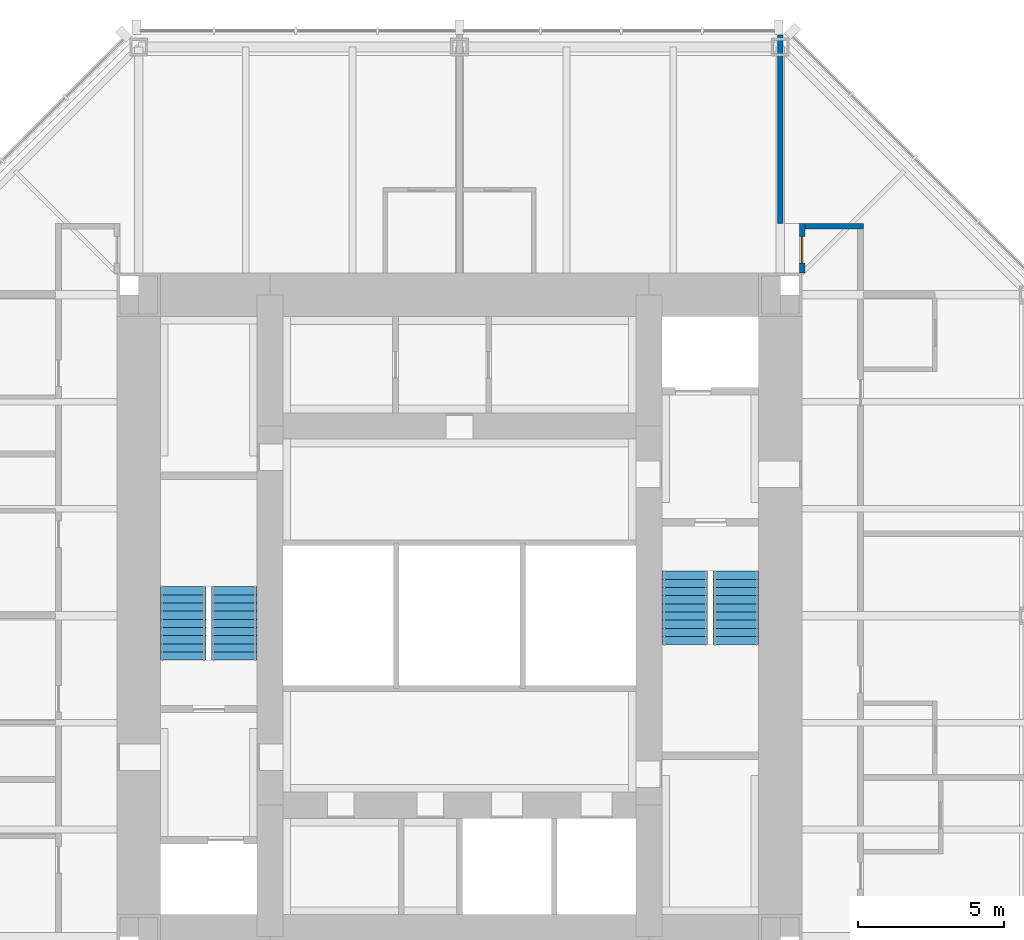
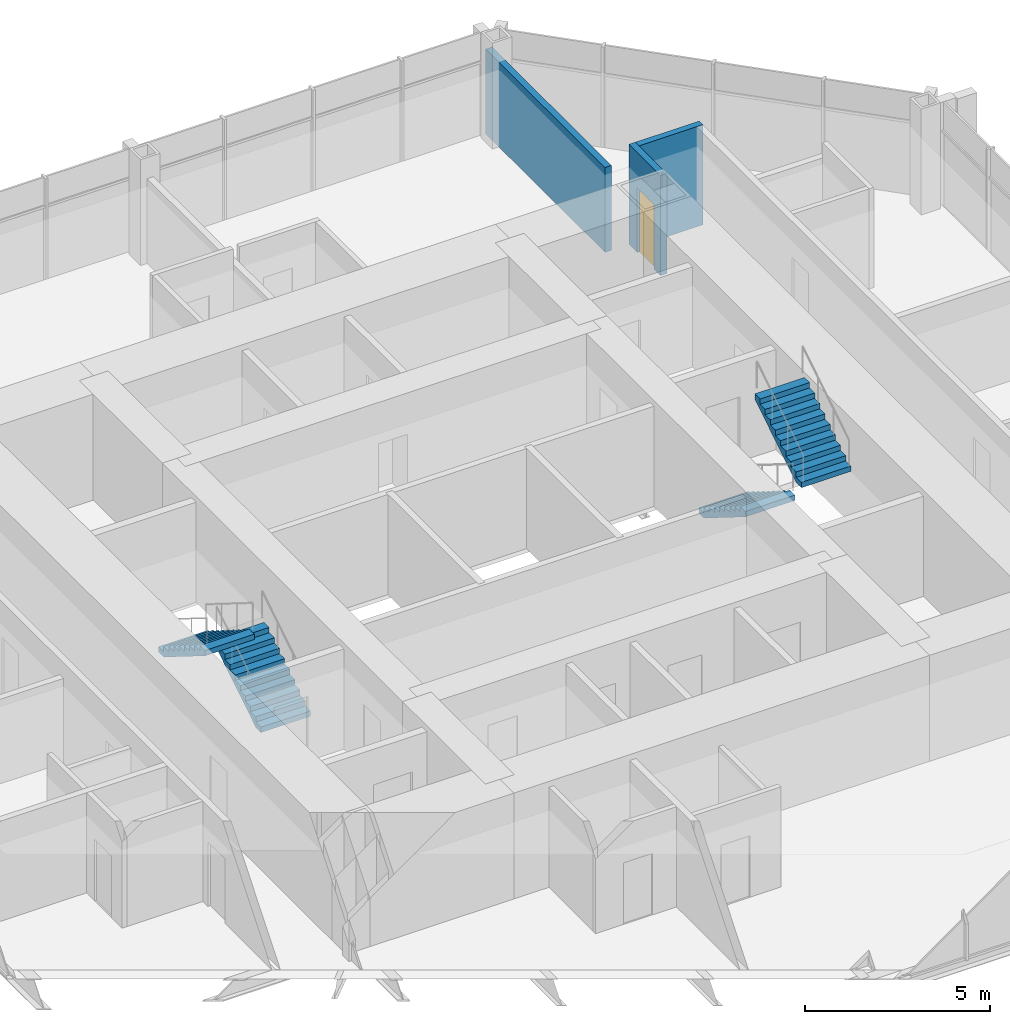
# One storey, part 10 of 11: 4 stair flights, 3 walls, 1 door, 1 opening, 2 elements without a shape of their own.
"""IFC4 building model written with IfcOpenShell, lengths in metres."""

from ifc_helpers import new_model, si_unit, direction, frame, frame_2d, origin, place, context, subcontext, project, spatial, polyline, rectangle, outline, extrude, material, layer, layer_set, type_object, element, fill, aggregate, save


model = new_model("IFC4")

# Units and contexts
model_context = context("Model", 3, precision=1e-05, world=origin(), true_north=direction((0.0, 1.0)))
body_context = subcontext(model_context, "Body", "Model", "MODEL_VIEW")
ifc_project = project(units=[si_unit("LENGTHUNIT", "METRE"), si_unit("AREAUNIT", "SQUARE_METRE"), si_unit("VOLUMEUNIT", "CUBIC_METRE"), si_unit("PLANEANGLEUNIT", "RADIAN"), si_unit("MASSUNIT", "GRAM", prefix="KILO")], contexts=[model_context])

# Site, building, storey
site_placement = place(None, origin())
site = spatial("IfcSite", under=ifc_project, at=site_placement, CompositionType="ELEMENT")
building_placement = place(site_placement, origin())
building = spatial("IfcBuilding", under=site, at=building_placement, Name="Trevanion Tower", CompositionType="ELEMENT")
storey_placement = place(building_placement, frame((0.0, 0.0, 225.699951171875)))
storey = spatial("IfcBuildingStorey", under=building, at=storey_placement, Name="L54", CompositionType="ELEMENT", Elevation=225.699951171875)

# Wall, opening, door
ifc_material_1 = material(Name="Concrete masonry, grouted", Category="masonry")
ifc_layer = layer(ifc_material_1, 0.199951171875)
ifc_layer_set = layer_set([ifc_layer], Name="PT2 partition 200 1 HR")
wall_type = type_object("IfcWallType", Name="PT2 partition 200 1 HR", PredefinedType="PARTITIONING", material=ifc_layer_set)
wall_1_placement = place(storey_placement, frame((11.75, 11.75, 0.0), z_axis=(0.0, 0.0, 1.0), x_axis=(0.0, 1.0, 0.0)))
wall_1 = element("IfcWall", 1, at=wall_1_placement, inside=storey, type_object=wall_type, Name="PT2 L54 HO1a", PredefinedType="PARTITIONING", context=body_context, shape_type="SweptSolid", body=[
    extrude(rectangle(XDim=1.699951171875, YDim=0.199951171875, at=frame_2d((0.85009765625, 0.0))), origin(), (0.0, 0.0, 1.0), 3.31005859375),
])
opening_placement = place(wall_1_placement, frame((0.342529296875, 0.0, 0.0)))
opening = element("IfcOpeningElement", 2, at=opening_placement, cuts=wall_1, Name="Opening 54-024", PredefinedType="OPENING", context=body_context, shape_type="SweptSolid", body=[
    extrude(rectangle(XDim=0.9150390625, YDim=2.134033203125, at=frame_2d((0.45751953125, 1.06689453125))), frame((0.0, 0.10986328125, 0.0), z_axis=(0.0, -1.0, 0.0), x_axis=(1.0, 0.0, 0.0)), (0.0, 0.0, 1.0), 0.219970703125),
])
ifc_material_2 = material(Name="Timber veneer, fire rated", Category="wood")
door_type = type_object("IfcDoorType", Name="D6 guest room entrance door", OperationType="SINGLE_SWING_LEFT", PredefinedType="DOOR", material=ifc_material_2)
door_placement = place(opening_placement, origin())
door = element("IfcDoor", 3, at=door_placement, inside=storey, type_object=door_type, Name="Door 54-024", OperationType="SINGLE_SWING_LEFT", OverallHeight=2.134033203125, OverallWidth=0.9150390625, PredefinedType="DOOR", context=body_context, shape_type="SweptSolid", body=[
    extrude(rectangle(XDim=0.9150390625, YDim=2.134033203125, at=frame_2d((0.45751953125, 1.06689453125))), frame((0.0, 0.02490234375, 0.0), z_axis=(0.0, -1.0, 0.0), x_axis=(1.0, 0.0, 0.0)), (0.0, 0.0, 1.0), 0.050048828125),
])
fill(opening, door)

# Walls
wall_2_placement = place(storey_placement, frame((13.85009765625, 13.35009765625, 0.0), z_axis=(0.0, 0.0, 1.0), x_axis=(-1.0, 0.0, 0.0)))
element("IfcWall", 4, at=wall_2_placement, inside=storey, type_object=wall_type, Name="PT2 L54 HC1ca", PredefinedType="PARTITIONING", context=body_context, shape_type="SweptSolid", body=[
    extrude(rectangle(XDim=2.0, YDim=0.199951171875, at=frame_2d((1.0, 0.0))), origin(), (0.0, 0.0, 1.0), 3.31005859375),
])
wall_3_placement = place(storey_placement, frame((11.0, 13.449951171875, 0.0), z_axis=(0.0, 0.0, 1.0), x_axis=(0.0, 1.0, 0.0)))
element("IfcWall", 5, at=wall_3_placement, inside=storey, type_object=wall_type, Name="PT2 L54 HD10", PredefinedType="PARTITIONING", context=body_context, shape_type="SweptSolid", body=[
    extrude(rectangle(XDim=6.465087890625, YDim=0.199951171875, at=frame_2d((3.232421875, 0.0))), origin(), (0.0, 0.0, 1.0), 2.802001953125),
])

# Stair, stair flights
ifc_material_3 = material(Name="Concrete 5,000 psi on steel stringers", Category="concrete")
stair_type = type_object("IfcStairType", Name="ST stair", PredefinedType="HALF_TURN_STAIR", material=ifc_material_3)
stair_1_placement = place(storey_placement, origin())
stair_1 = element("IfcStair", 6, at=stair_1_placement, inside=storey, type_object=stair_type, Name="ST1 L54", PredefinedType="HALF_TURN_STAIR")
ifc_material_4 = material(Name="Concrete 5,000 psi in steel pan", Category="concrete")
stair_flight_type = type_object("IfcStairFlightType", Name="STF stair flight", PredefinedType="STRAIGHT", material=ifc_material_4)
stair_flight_1_placement = place(storey_placement, frame((7.72509765625, 1.52490234375, 0.0), z_axis=(0.0, 0.0, 1.0), x_axis=(0.0, -1.0, 0.0)))
stair_flight_1 = element("IfcStairFlight", 7, at=stair_flight_1_placement, type_object=stair_flight_type, Name="ST1 flight 1", NumberOfRisers=10, NumberOfTreads=9, PredefinedType="STRAIGHT", RiserHeight=0.175, TreadLength=0.28, context=body_context, shape_type="SweptSolid", body=[
    extrude(outline(polyline([(0.0, 0.0), (0.0, 0.175048828125), (0.280029296875, 0.175048828125), (0.280029296875, 0.35009765625), (0.56005859375, 0.35009765625), (0.56005859375, 0.52490234375), (0.840087890625, 0.52490234375), (0.840087890625, 0.699951171875), (1.1201171875, 0.699951171875), (1.1201171875, 0.875), (1.39990234375, 0.875), (1.39990234375, 1.050048828125), (1.679931640625, 1.050048828125), (1.679931640625, 1.22509765625), (1.9599609375, 1.22509765625), (1.9599609375, 1.39990234375), (2.239990234375, 1.39990234375), (2.239990234375, 1.574951171875), (2.52001953125, 1.574951171875), (2.52001953125, 1.75), (2.52001953125, 1.398193359375), (0.28271484375, 0.0), (0.0, 0.0)])), frame((0.0, 0.77490234375, 0.0), z_axis=(0.0, -1.0, 0.0), x_axis=(1.0, 0.0, 0.0)), (0.0, 0.0, 1.0), 1.550048828125),
])
stair_flight_2_placement = place(storey_placement, frame((9.47509765625, -0.9951171875, 1.75), z_axis=(0.0, 0.0, 1.0), x_axis=(0.0, 1.0, 0.0)))
stair_flight_2 = element("IfcStairFlight", 8, at=stair_flight_2_placement, type_object=stair_flight_type, Name="ST1 flight 2", NumberOfRisers=10, NumberOfTreads=9, PredefinedType="STRAIGHT", RiserHeight=0.175, TreadLength=0.28, context=body_context, shape_type="SweptSolid", body=[
    extrude(outline(polyline([(0.0, 0.0), (0.0, 0.175048828125), (0.280029296875, 0.175048828125), (0.280029296875, 0.35009765625), (0.56005859375, 0.35009765625), (0.56005859375, 0.52490234375), (0.840087890625, 0.52490234375), (0.840087890625, 0.699951171875), (1.1201171875, 0.699951171875), (1.1201171875, 0.875), (1.39990234375, 0.875), (1.39990234375, 1.050048828125), (1.679931640625, 1.050048828125), (1.679931640625, 1.22509765625), (1.9599609375, 1.22509765625), (1.9599609375, 1.39990234375), (2.239990234375, 1.39990234375), (2.239990234375, 1.574951171875), (2.52001953125, 1.574951171875), (2.52001953125, 1.75), (2.52001953125, 1.398193359375), (0.28271484375, 0.0), (0.0, 0.0)])), frame((0.0, 0.77490234375, 0.0), z_axis=(0.0, -1.0, 0.0), x_axis=(1.0, 0.0, 0.0)), (0.0, 0.0, 1.0), 1.550048828125),
])
aggregate(stair_1, [stair_flight_1, stair_flight_2])

stair_2_placement = place(storey_placement, origin())
stair_2 = element("IfcStair", 9, at=stair_2_placement, inside=storey, type_object=stair_type, Name="ST2 L54", PredefinedType="HALF_TURN_STAIR")
stair_flight_3_placement = place(storey_placement, frame((-7.72509765625, -1.52490234375, 0.0), z_axis=(0.0, 0.0, 1.0), x_axis=(0.0, 1.0, 0.0)))
stair_flight_3 = element("IfcStairFlight", 10, at=stair_flight_3_placement, type_object=stair_flight_type, Name="ST2 flight 1", NumberOfRisers=10, NumberOfTreads=9, PredefinedType="STRAIGHT", RiserHeight=0.175, TreadLength=0.28, context=body_context, shape_type="SweptSolid", body=[
    extrude(outline(polyline([(0.0, 0.0), (0.0, 0.175048828125), (0.280029296875, 0.175048828125), (0.280029296875, 0.35009765625), (0.56005859375, 0.35009765625), (0.56005859375, 0.52490234375), (0.840087890625, 0.52490234375), (0.840087890625, 0.699951171875), (1.1201171875, 0.699951171875), (1.1201171875, 0.875), (1.39990234375, 0.875), (1.39990234375, 1.050048828125), (1.679931640625, 1.050048828125), (1.679931640625, 1.22509765625), (1.9599609375, 1.22509765625), (1.9599609375, 1.39990234375), (2.239990234375, 1.39990234375), (2.239990234375, 1.574951171875), (2.52001953125, 1.574951171875), (2.52001953125, 1.75), (2.52001953125, 1.398193359375), (0.28271484375, 0.0), (0.0, 0.0)])), frame((0.0, 0.77490234375, 0.0), z_axis=(0.0, -1.0, 0.0), x_axis=(1.0, 0.0, 0.0)), (0.0, 0.0, 1.0), 1.550048828125),
])
stair_flight_4_placement = place(storey_placement, frame((-9.47509765625, 0.9951171875, 1.75), z_axis=(0.0, 0.0, 1.0), x_axis=(0.0, -1.0, 0.0)))
stair_flight_4 = element("IfcStairFlight", 11, at=stair_flight_4_placement, type_object=stair_flight_type, Name="ST2 flight 2", NumberOfRisers=10, NumberOfTreads=9, PredefinedType="STRAIGHT", RiserHeight=0.175, TreadLength=0.28, context=body_context, shape_type="SweptSolid", body=[
    extrude(outline(polyline([(0.0, 0.0), (0.0, 0.175048828125), (0.280029296875, 0.175048828125), (0.280029296875, 0.35009765625), (0.56005859375, 0.35009765625), (0.56005859375, 0.52490234375), (0.840087890625, 0.52490234375), (0.840087890625, 0.699951171875), (1.1201171875, 0.699951171875), (1.1201171875, 0.875), (1.39990234375, 0.875), (1.39990234375, 1.050048828125), (1.679931640625, 1.050048828125), (1.679931640625, 1.22509765625), (1.9599609375, 1.22509765625), (1.9599609375, 1.39990234375), (2.239990234375, 1.39990234375), (2.239990234375, 1.574951171875), (2.52001953125, 1.574951171875), (2.52001953125, 1.75), (2.52001953125, 1.398193359375), (0.28271484375, 0.0), (0.0, 0.0)])), frame((0.0, 0.77490234375, 0.0), z_axis=(0.0, -1.0, 0.0), x_axis=(1.0, 0.0, 0.0)), (0.0, 0.0, 1.0), 1.550048828125),
])
aggregate(stair_2, [stair_flight_3, stair_flight_4])

save(model, "model.ifc")
